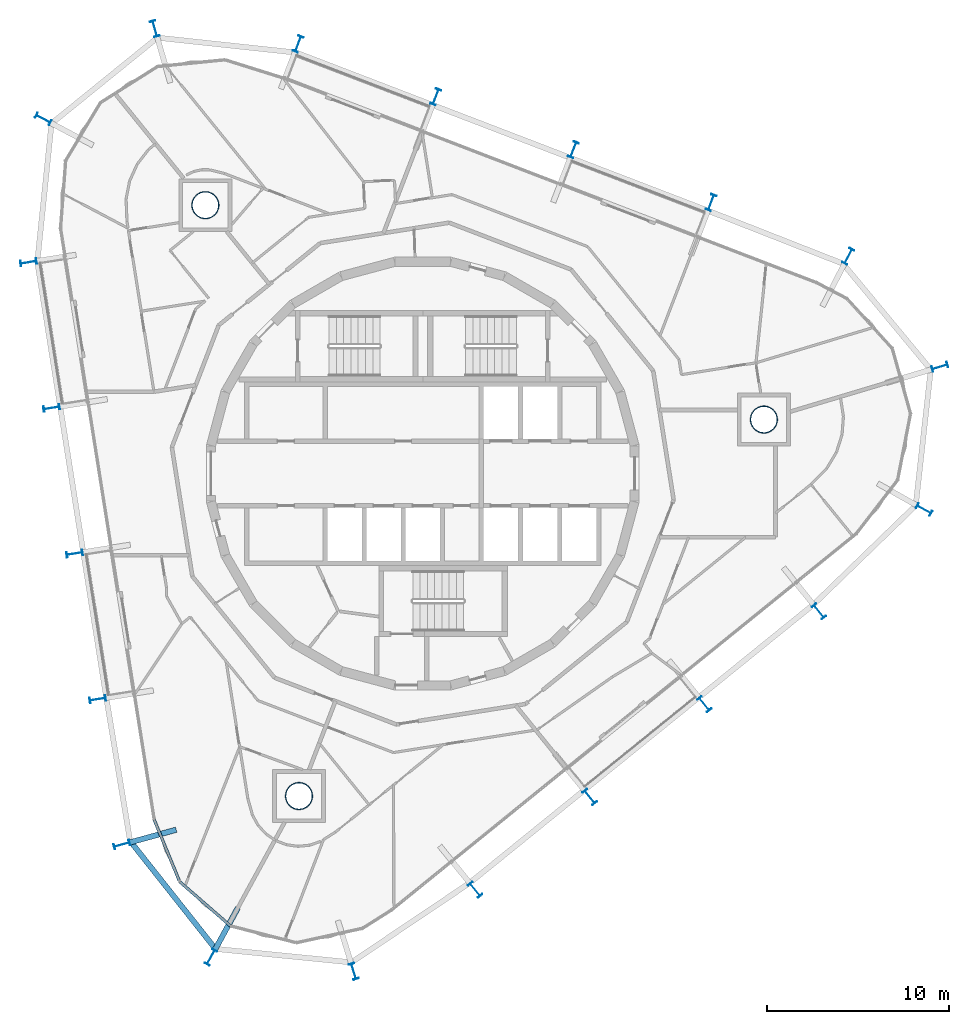
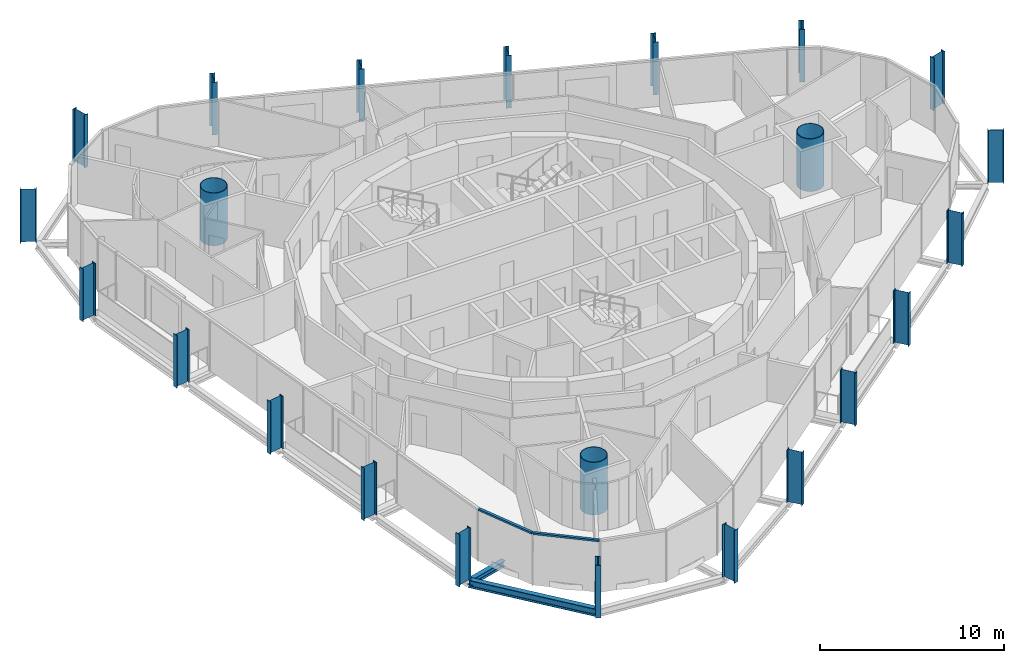
# One storey, part 1 of 18: 23 columns, 3 beams, 2 members, 1 element without a shape of its own.
"""IFC4 building model written with IfcOpenShell, lengths in metres."""

from ifc_helpers import new_model, si_unit, direction, frame, origin, origin_2d, place, context, subcontext, project, spatial, rectangle, hollow_circle, i_section, extrude, material, layer, layer_set, material_profile, profile_set, type_object, element, aggregate, save


model = new_model("IFC4")

# Units and contexts
model_context = context("Model", 3, precision=1e-05, world=origin(), true_north=direction((0.0, 1.0)))
body_context = subcontext(model_context, "Body", "Model", "MODEL_VIEW")
ifc_project = project(units=[si_unit("LENGTHUNIT", "METRE"), si_unit("AREAUNIT", "SQUARE_METRE"), si_unit("VOLUMEUNIT", "CUBIC_METRE"), si_unit("PLANEANGLEUNIT", "RADIAN"), si_unit("MASSUNIT", "GRAM", prefix="KILO")], contexts=[model_context])

# Site, building, storey
site_placement = place(None, origin())
site = spatial("IfcSite", under=ifc_project, at=site_placement, CompositionType="ELEMENT")
building_placement = place(site_placement, origin())
building = spatial("IfcBuilding", under=site, at=building_placement, Name="Spindle Arch Residences", CompositionType="ELEMENT")
storey_placement = place(building_placement, frame((0.0, 0.0, 280.89990234375)))
storey = spatial("IfcBuildingStorey", under=building, at=storey_placement, Name="L72", CompositionType="ELEMENT", Elevation=280.89990234375)

# Columns
ifc_material_1 = material(Name="Steel S460ML, intumescent coating R 240", Category="steel")
ifc_material_profile_1 = material_profile(ifc_material_1, i_section(OverallWidth=0.300048828125, OverallDepth=0.89990234375, WebThickness=0.0185546875, FlangeThickness=0.034912109375, FilletRadius=0.030029296875, at=origin_2d()), Name="HEB 900")
ifc_profile_set_1 = profile_set([ifc_material_profile_1], Name="Steel S460ML, intumescent coating R 240")
column_type_1 = type_object("IfcColumnType", Name="Exoskeleton post HEB 900", PredefinedType="COLUMN", material=ifc_profile_set_1)
for number, where, z_axis, x_axis, name in (
    (1, (15.48291015625, -12.67822265625, -0.3798828125), (0.0, 0.0, 1.0), (-0.777146167973, -0.629320136024, 0.0), "Exoskeleton post 1"),
    (2, (21.78369140625, -7.575927734375, -0.3798828125), (0.0, 0.0, 1.0), (-0.777146167973, -0.629320136024, 0.0), "Exoskeleton post 2"),
    (3, (27.56494140625, -1.975830078125, -0.3798828125), (0.0, 0.0, 1.0), (-0.489802299008, -0.871833532211, 0.0), "Exoskeleton post 3"),
    (4, (28.43505859375, 5.86767578125, -0.3798828125), (0.0, 0.0, 1.0), (0.286784074183, -0.957995247794, 0.0), "Exoskeleton post 4"),
    (5, (23.398193359375, 11.94287109375, -0.3798828125), (0.0, 0.0, 1.0), (0.888285893192, -0.45929094478, 0.0), "Exoskeleton post 5"),
    (6, (15.853515625, 14.9052734375, -0.3798828125), (0.0, 0.0, 1.0), (0.933580354843, -0.35836813621, 0.0), "Exoskeleton post 6"),
    (7, (8.2841796875, 17.810791015625, -0.3798828125), (0.0, 0.0, 1.0), (0.933580354843, -0.35836813621, 0.0), "Exoskeleton post 7"),
    (8, (0.715087890625, 20.71630859375, -0.3798828125), (0.0, 0.0, 1.0), (0.933580354843, -0.35836813621, 0.0), "Exoskeleton post 8"),
    (9, (-6.85400390625, 23.621826171875, -0.3798828125), (0.0, 0.0, 1.0), (0.933580354843, -0.35836813621, 0.0), "Exoskeleton post 9"),
    (10, (-14.7373046875, 24.468994140625, -0.3798828125), (0.0, 0.0, 1.0), (0.961245152333, 0.275695043693, 0.0), "Exoskeleton post 10"),
    (11, (-20.870361328125, 19.502685546875, -0.3798828125), (0.0, 0.0, 1.0), (0.469525073676, 0.882919138534, 0.0), "Exoskeleton post 11"),
    (12, (-21.6806640625, 11.615234375, -0.3798828125), (0.0, 0.0, 1.0), (-0.156434064006, 0.987688404113, 0.0), "Exoskeleton post 12"),
    (13, (-20.412353515625, 3.607666015625, -0.3798828125), (0.0, 0.0, 1.0), (-0.156434064006, 0.987688404113, 0.0), "Exoskeleton post 13"),
    (14, (-19.143798828125, -4.400146484375, -0.3798828125), (0.0, 0.0, 1.0), (-0.156434064006, 0.987688404113, 0.0), "Exoskeleton post 14"),
    (15, (-17.87548828125, -12.407958984375, -0.3798828125), (0.0, 0.0, 1.0), (-0.156434064006, 0.987688404113, 0.0), "Exoskeleton post 15"),
    (16, (-16.546630859375, -20.40380859375, -0.3798828125), (0.0, 0.0, 1.0), (-0.264568938302, 0.964366775084, 0.0), "Exoskeleton post 16"),
    (17, (-11.651611328125, -26.59375, -0.3798828125), (0.0, 0.0, 1.0), (-0.877434810632, 0.479695896472, 0.0), "Exoskeleton post 17"),
    (18, (-3.79833984375, -27.373291015625, -0.3798828125), (0.0, 0.0, 1.0), (-0.95461733225, -0.297835103654, 0.0), "Exoskeleton post 18"),
    (19, (2.88134765625, -22.8828125, -0.3798828125), (0.0, 0.0, 1.0), (-0.777146167973, -0.629320136024, 0.0), "Exoskeleton post 19"),
    (20, (9.18212890625, -17.780517578125, -0.3798828125), (0.0, 0.0, 1.0), (-0.777146167973, -0.629320136024, 0.0), "Exoskeleton post 20"),
):
    element("IfcColumn", number, at=place(storey_placement, frame(where, z_axis=z_axis, x_axis=x_axis)), inside=storey, type_object=column_type_1, Name=name, PredefinedType="COLUMN", context=body_context, shape_type="SweptSolid", body=[
        extrude(i_section(OverallWidth=0.300048828125, OverallDepth=0.89990234375, WebThickness=0.0185546875, FlangeThickness=0.034912109375, FilletRadius=0.030029296875, at=origin_2d()), origin(), (0.0, 0.0, 1.0), 3.5),
    ])
ifc_material_2 = material(Name="Concrete C50/60 filled steel tube S460ML, intumescent coating R 240", Category="concrete")
ifc_material_profile_2 = material_profile(ifc_material_2, hollow_circle(Radius=0.75, WallThickness=0.034912109375, at=origin_2d()), Name="CFT D1500x35")
ifc_profile_set_2 = profile_set([ifc_material_profile_2], Name="Concrete C50/60 filled steel tube S460ML, intumescent coating R 240")
column_type_2 = type_object("IfcColumnType", Name="Mega-column CFT D1500x35", PredefinedType="COLUMN", material=ifc_profile_set_2)
for number, where, z_axis, x_axis, name in (
    (21, (18.759521484375, 2.97119140625, -0.3798828125), (0.0, 0.0, 1.0), (1.0, 0.0, 0.0), "Mega-column 1"),
    (22, (-11.952880859375, 14.760498046875, -0.3798828125), (0.0, 0.0, 1.0), (1.0, 0.0, 0.0), "Mega-column 2"),
    (23, (-6.806640625, -17.731689453125, -0.3798828125), (0.0, 0.0, 1.0), (1.0, 0.0, 0.0), "Mega-column 3"),
):
    element("IfcColumn", number, at=place(storey_placement, frame(where, z_axis=z_axis, x_axis=x_axis)), inside=storey, type_object=column_type_2, Name=name, PredefinedType="COLUMN", context=body_context, shape_type="SweptSolid", body=[
        extrude(hollow_circle(Radius=0.75, WallThickness=0.034912109375, at=origin_2d()), origin(), (0.0, 0.0, 1.0), 3.5),
    ])

# Curtain wall, members
ifc_material_3 = material(Name="Aluminium bronze unitised frame with tinted glass", Category="aluminium")
ifc_layer = layer(ifc_material_3, 0.159912109375)
ifc_layer_set = layer_set([ifc_layer], Name="CW-D corner wall on the fillet arcs")
curtain_wall_type = type_object("IfcCurtainWallType", Name="CW-D corner wall on the fillet arcs", PredefinedType="NOTDEFINED", material=ifc_layer_set)
curtain_wall_placement = place(storey_placement, origin())
curtain_wall = element("IfcCurtainWall", 24, at=curtain_wall_placement, inside=storey, type_object=curtain_wall_type, Name="CW-D L72 run 5", PredefinedType="NOTDEFINED")
ifc_material_4 = material(Name="Aluminium bronze anodised transom", Category="aluminium")
ifc_material_profile_3 = material_profile(ifc_material_4, rectangle(XDim=0.159912109375, YDim=0.1201171875, at=origin_2d()), Name="TR 120x160")
ifc_profile_set_3 = profile_set([ifc_material_profile_3], Name="Aluminium bronze anodised transom")
member_type = type_object("IfcMemberType", Name="Bronze transom 120x160", PredefinedType="USERDEFINED", material=ifc_profile_set_3)
member_1_placement = place(storey_placement, frame((-14.775634765625, -19.0234375, 3.06005859375), z_axis=(0.379996173922, -0.924988058196, 0.0), x_axis=(0.924988058196, 0.379996173922, 0.0)))
member_1 = element("IfcMember", 25, at=member_1_placement, type_object=member_type, Name="CW-D transom 01", ObjectType="TRANSOM", PredefinedType="USERDEFINED", context=body_context, shape_type="SweptSolid", body=[
    extrude(rectangle(XDim=0.159912109375, YDim=0.1201171875, at=origin_2d()), origin(), (0.0, 0.0, 1.0), 3.666748046875),
])
member_2_placement = place(storey_placement, frame((-13.348388671875, -22.462646484375, 3.06005859375), z_axis=(0.754721618998, -0.656045179708, 0.0), x_axis=(0.656045179708, 0.754721618998, 0.0)))
member_2 = element("IfcMember", 26, at=member_2_placement, type_object=member_type, Name="CW-D transom 02", ObjectType="TRANSOM", PredefinedType="USERDEFINED", context=body_context, shape_type="SweptSolid", body=[
    extrude(rectangle(XDim=0.159912109375, YDim=0.1201171875, at=origin_2d()), origin(), (0.0, 0.0, 1.0), 3.666748046875),
])
aggregate(curtain_wall, [member_1, member_2])

# Beams
ifc_material_5 = material(Name="Steel S460ML, intumescent coating R 120", Category="steel")
ifc_material_profile_4 = material_profile(ifc_material_5, i_section(OverallWidth=0.300048828125, OverallDepth=0.5, WebThickness=0.014404296875, FlangeThickness=0.028076171875, FilletRadius=0.027099609375, at=origin_2d()), Name="HEB 500")
ifc_profile_set_4 = profile_set([ifc_material_profile_4], Name="Steel S460ML, intumescent coating R 120")
beam_type_1 = type_object("IfcBeamType", Name="Exoskeleton edge beam HEB 500", PredefinedType="BEAM", material=ifc_profile_set_4)
beam_1_placement = place(storey_placement, frame((-16.089599609375, -20.2080078125, -0.6298828125), z_axis=(0.62029234527, -0.784370707255, 0.0), x_axis=(0.784370707255, 0.62029234527, 0.0)))
element("IfcBeam", 27, at=beam_1_placement, inside=storey, type_object=beam_type_1, Name="Exoskeleton edge beam 16", PredefinedType="BEAM", context=body_context, shape_type="SweptSolid", body=[
    extrude(i_section(OverallWidth=0.300048828125, OverallDepth=0.5, WebThickness=0.014404296875, FlangeThickness=0.028076171875, FilletRadius=0.027099609375, at=origin_2d()), origin(), (0.0, 0.0, 1.0), 7.631591796875),
])
ifc_material_6 = material(Name="Steel S460ML, intumescent coating R 120", Category="steel")
ifc_material_profile_5 = material_profile(ifc_material_6, i_section(OverallWidth=0.300048828125, OverallDepth=0.389892578125, WebThickness=0.010986328125, FlangeThickness=0.01904296875, FilletRadius=0.027099609375, at=origin_2d()), Name="HEA 400")
ifc_profile_set_5 = profile_set([ifc_material_profile_5], Name="Steel S460ML, intumescent coating R 120")
beam_type_2 = type_object("IfcBeamType", Name="Floor outrigger HEA 400", PredefinedType="BEAM", material=ifc_profile_set_5)
beam_2_placement = place(storey_placement, frame((-16.11279296875, -20.28466796875, -0.574951171875), z_axis=(0.964363028022, 0.264582596148, 0.0), x_axis=(-0.264582596148, 0.964363028022, 0.0)))
element("IfcBeam", 28, at=beam_2_placement, inside=storey, type_object=beam_type_2, Name="Floor outrigger 16", PredefinedType="BEAM", context=body_context, shape_type="SweptSolid", body=[
    extrude(i_section(OverallWidth=0.300048828125, OverallDepth=0.389892578125, WebThickness=0.010986328125, FlangeThickness=0.01904296875, FilletRadius=0.027099609375, at=origin_2d()), origin(), (0.0, 0.0, 1.0), 2.650146484375),
])
beam_3_placement = place(storey_placement, frame((-11.435546875, -26.198974609375, -0.574951171875), z_axis=(0.479710393666, 0.877426884822, 0.0), x_axis=(-0.877426884822, 0.479710393666, 0.0)))
element("IfcBeam", 29, at=beam_3_placement, inside=storey, type_object=beam_type_2, Name="Floor outrigger 17", PredefinedType="BEAM", context=body_context, shape_type="SweptSolid", body=[
    extrude(i_section(OverallWidth=0.300048828125, OverallDepth=0.389892578125, WebThickness=0.010986328125, FlangeThickness=0.01904296875, FilletRadius=0.027099609375, at=origin_2d()), origin(), (0.0, 0.0, 1.0), 2.64990234375),
])

save(model, "model.ifc")
